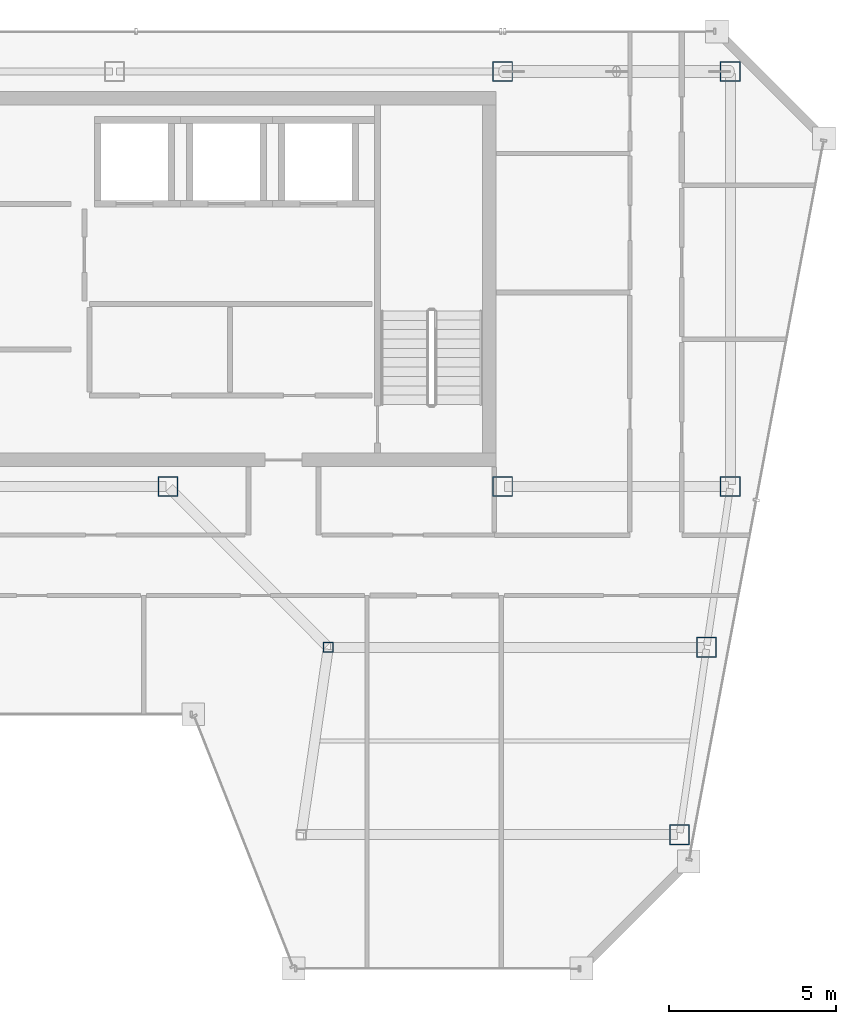
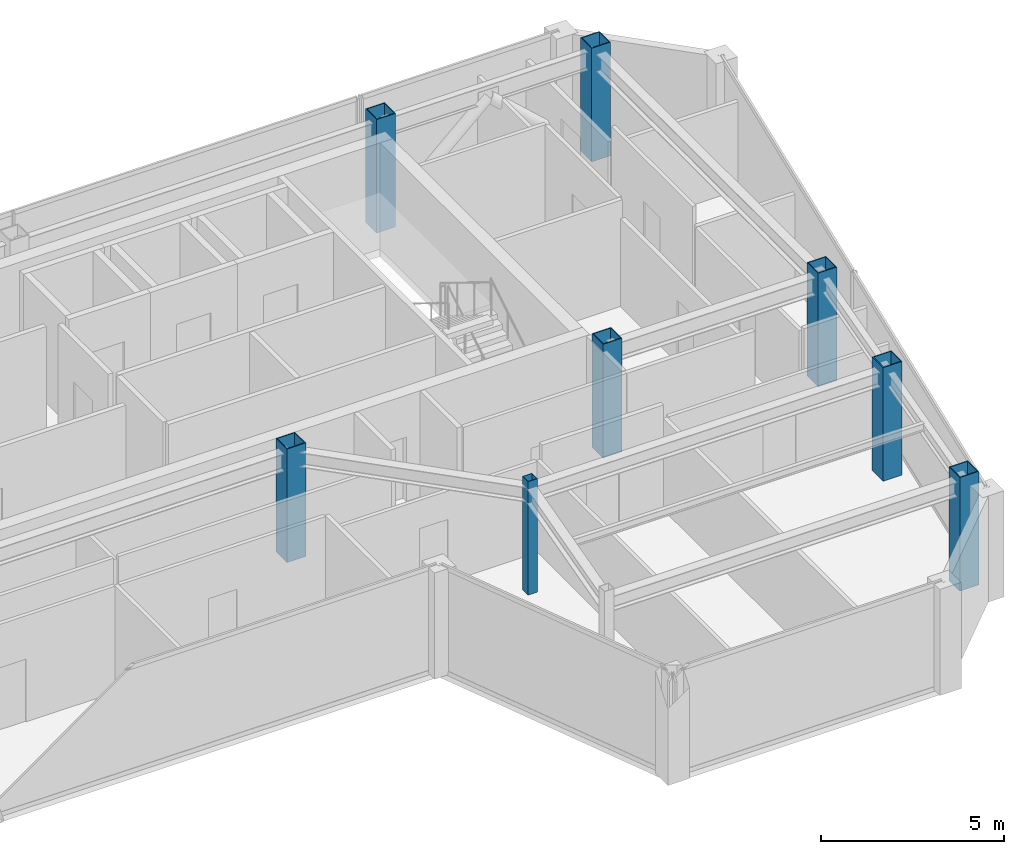
# One storey, part 2 of 23: 8 columns.
"""IFC4 building model written with IfcOpenShell, lengths in metres."""

from ifc_helpers import new_model, si_unit, direction, frame, origin, origin_2d, place, context, subcontext, project, spatial, hollow_rectangle, extrude, material, material_profile, profile_set, type_object, element, save


model = new_model("IFC4")

# Units and contexts
model_context = context("Model", 3, precision=1e-05, world=origin(), true_north=direction((0.0, 1.0)))
body_context = subcontext(model_context, "Body", "Model", "MODEL_VIEW")
ifc_project = project(units=[si_unit("LENGTHUNIT", "METRE"), si_unit("AREAUNIT", "SQUARE_METRE"), si_unit("VOLUMEUNIT", "CUBIC_METRE"), si_unit("PLANEANGLEUNIT", "RADIAN"), si_unit("MASSUNIT", "GRAM", prefix="KILO")], contexts=[model_context])

# Site, building, storey
site_placement = place(None, origin())
site = spatial("IfcSite", under=ifc_project, at=site_placement, CompositionType="ELEMENT")
building_placement = place(site_placement, origin())
building = spatial("IfcBuilding", under=site, at=building_placement, Name="Saevonmaru Cultural Tower", CompositionType="ELEMENT")
storey_placement = place(building_placement, frame((0.0, 0.0, 280.0)))
storey = spatial("IfcBuildingStorey", under=building, at=storey_placement, Name="L66", CompositionType="ELEMENT", Elevation=280.0)

# Columns
ifc_material = material(Name="Steel SM355", Category="steel")
ifc_material_profile_1 = material_profile(ifc_material, hollow_rectangle(XDim=0.60009765625, YDim=0.60009765625, WallThickness=0.028076171875, at=origin_2d()), Name="BOX-600x600x28")
ifc_profile_set_1 = profile_set([ifc_material_profile_1], Name="Steel SM355")
column_type_1 = type_object("IfcColumnType", Name="COL-BOX-600", PredefinedType="COLUMN", material=ifc_profile_set_1)
for number, where, z_axis, x_axis, name in (
    (1, (46.39990234375, 54.800048828125, 0.0), (0.0, 0.0, 1.0), (1.0, 0.0, 0.0), "L66 Column TC-N5N"),
    (2, (53.199951171875, 54.800048828125, 0.0), (0.0, 0.0, 1.0), (1.0, 0.0, 0.0), "L66 Column TC-N6N"),
    (3, (36.39990234375, 42.39990234375, 0.0), (0.0, 0.0, 1.0), (1.0, 0.0, 0.0), "L66 Column TC-S4C"),
    (4, (46.39990234375, 42.39990234375, 0.0), (0.0, 0.0, 1.0), (1.0, 0.0, 0.0), "L66 Column TC-S5C"),
    (5, (53.199951171875, 42.39990234375, 0.0), (0.0, 0.0, 1.0), (1.0, 0.0, 0.0), "L66 Column TC-S6C"),
    (6, (51.68310546875, 32.0, 0.0), (0.0, 0.0, 1.0), (1.0, 0.0, 0.0), "L66 Column TC-EO-Y320"),
    (7, (52.491943359375, 37.60009765625, 0.0), (0.0, 0.0, 1.0), (1.0, 0.0, 0.0), "L66 Column TC-EO-Y376"),
):
    element("IfcColumn", number, at=place(storey_placement, frame(where, z_axis=z_axis, x_axis=x_axis)), inside=storey, type_object=column_type_1, Name=name, PredefinedType="COLUMN", context=body_context, shape_type="SweptSolid", body=[
        extrude(hollow_rectangle(XDim=0.60009765625, YDim=0.60009765625, WallThickness=0.028076171875, at=origin_2d()), origin(), (0.0, 0.0, 1.0), 3.800048828125),
    ])
ifc_material_profile_2 = material_profile(ifc_material, hollow_rectangle(XDim=0.300048828125, YDim=0.300048828125, WallThickness=0.011962890625, at=origin_2d()), Name="SHS-300x300x12")
ifc_profile_set_2 = profile_set([ifc_material_profile_2], Name="Steel SM355")
column_type_2 = type_object("IfcColumnType", Name="COL-SHS-300", PredefinedType="COLUMN", material=ifc_profile_set_2)
column_placement = place(storey_placement, frame((41.19189453125, 37.60009765625, 0.0), z_axis=(0.0, 0.0, 1.0), x_axis=(1.0, 0.0, 0.0)))
element("IfcColumn", 8, at=column_placement, inside=storey, type_object=column_type_2, Name="L66 Column TC-EI-Y376", PredefinedType="COLUMN", context=body_context, shape_type="SweptSolid", body=[
    extrude(hollow_rectangle(XDim=0.300048828125, YDim=0.300048828125, WallThickness=0.011962890625, at=origin_2d()), origin(), (0.0, 0.0, 1.0), 3.800048828125),
])

save(model, "model.ifc")
